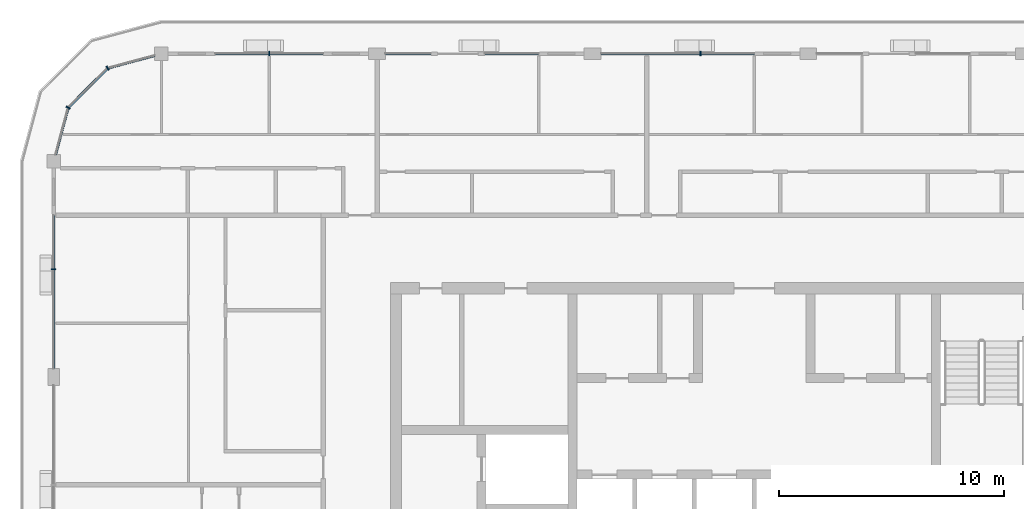
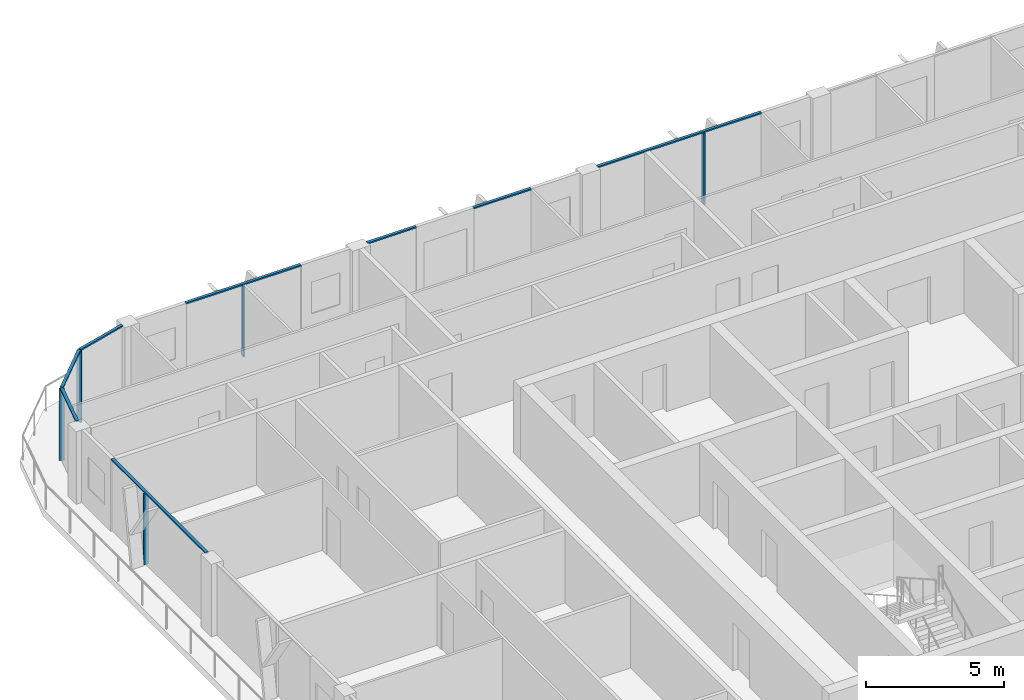
# One storey, part 5 of 22: 13 members, 5 elements without a shape of their own.
"""IFC4 building model written with IfcOpenShell, lengths in metres."""

from ifc_helpers import new_model, si_unit, direction, frame, origin, origin_2d, place, context, subcontext, project, spatial, rectangle, extrude, material, layer, layer_set, material_profile, profile_set, type_object, element, aggregate, save


model = new_model("IFC4")

# Units and contexts
model_context = context("Model", 3, precision=1e-05, world=origin(), true_north=direction((0.0, 1.0)))
body_context = subcontext(model_context, "Body", "Model", "MODEL_VIEW")
ifc_project = project(units=[si_unit("LENGTHUNIT", "METRE"), si_unit("AREAUNIT", "SQUARE_METRE"), si_unit("VOLUMEUNIT", "CUBIC_METRE"), si_unit("PLANEANGLEUNIT", "RADIAN"), si_unit("MASSUNIT", "GRAM", prefix="KILO")], contexts=[model_context])

# Site, building, storey
site_placement = place(None, origin())
site = spatial("IfcSite", under=ifc_project, at=site_placement, CompositionType="ELEMENT")
building_placement = place(site_placement, origin())
building = spatial("IfcBuilding", under=site, at=building_placement, Name="Madar Terraces", CompositionType="ELEMENT")
storey_placement = place(building_placement, frame((0.0, 0.0, 282.60009765625)))
storey = spatial("IfcBuildingStorey", under=building, at=storey_placement, Name="L74", CompositionType="ELEMENT", Elevation=282.60009765625)

# Curtain wall, member
ifc_material_1 = material(Name="Glass, ceramic frit dark grey, with black aluminium frame", Category="aluminium")
ifc_layer = layer(ifc_material_1, 0.199951171875)
ifc_layer_set = layer_set([ifc_layer], Name="Facade curtain wall, fritted glass")
curtain_wall_type = type_object("IfcCurtainWallType", Name="Facade curtain wall, fritted glass", PredefinedType="NOTDEFINED", material=ifc_layer_set)
curtain_wall_1_placement = place(storey_placement, origin())
curtain_wall_1 = element("IfcCurtainWall", 1, at=curtain_wall_1_placement, inside=storey, type_object=curtain_wall_type, Name="Outer skin curtain wall north bay 3", PredefinedType="NOTDEFINED")
ifc_material_2 = material(Name="Aluminium, black anodised", Category="aluminium")
ifc_material_profile_1 = material_profile(ifc_material_2, rectangle(XDim=0.199951171875, YDim=0.06005859375, at=origin_2d()), Name="Facade mullion 60x200")
ifc_profile_set_1 = profile_set([ifc_material_profile_1], Name="Aluminium, black anodised")
member_type_1 = type_object("IfcMemberType", Name="Facade mullion 60x200", PredefinedType="MULLION", material=ifc_profile_set_1)
member_1_placement = place(storey_placement, frame((28.800048828125, 48.0, 0.0), z_axis=(0.0, 0.0, 1.0), x_axis=(0.0, -1.0, 0.0)))
member_1 = element("IfcMember", 2, at=member_1_placement, type_object=member_type_1, Name="Mullion 1", PredefinedType="MULLION", context=body_context, shape_type="SweptSolid", body=[
    extrude(rectangle(XDim=0.199951171875, YDim=0.06005859375, at=origin_2d()), origin(), (0.0, 0.0, 1.0), 3.139892578125),
])

curtain_wall_2_placement = place(storey_placement, origin())
curtain_wall_2 = element("IfcCurtainWall", 3, at=curtain_wall_2_placement, inside=storey, type_object=curtain_wall_type, Name="Outer skin curtain wall north bay 5", PredefinedType="NOTDEFINED")
member_2_placement = place(storey_placement, frame((9.60009765625, 48.0, 0.0), z_axis=(0.0, 0.0, 1.0), x_axis=(0.0, -1.0, 0.0)))
member_2 = element("IfcMember", 4, at=member_2_placement, type_object=member_type_1, Name="Mullion 1", PredefinedType="MULLION", context=body_context, shape_type="SweptSolid", body=[
    extrude(rectangle(XDim=0.199951171875, YDim=0.06005859375, at=origin_2d()), origin(), (0.0, 0.0, 1.0), 3.139892578125),
])

curtain_wall_3_placement = place(storey_placement, origin())
curtain_wall_3 = element("IfcCurtainWall", 5, at=curtain_wall_3_placement, inside=storey, type_object=curtain_wall_type, Name="Outer skin curtain wall west bay 1", PredefinedType="NOTDEFINED")
member_3_placement = place(storey_placement, frame((0.0, 38.39990234375, 0.0), z_axis=(0.0, 0.0, 1.0), x_axis=(1.0, 0.0, 0.0)))
member_3 = element("IfcMember", 6, at=member_3_placement, type_object=member_type_1, Name="Mullion 1", PredefinedType="MULLION", context=body_context, shape_type="SweptSolid", body=[
    extrude(rectangle(XDim=0.199951171875, YDim=0.06005859375, at=origin_2d()), origin(), (0.0, 0.0, 1.0), 3.139892578125),
])

# Curtain wall, members
curtain_wall_4_placement = place(storey_placement, origin())
curtain_wall_4 = element("IfcCurtainWall", 7, at=curtain_wall_4_placement, inside=storey, type_object=curtain_wall_type, Name="Outer skin curtain wall north-west corner", PredefinedType="NOTDEFINED")
member_4_placement = place(storey_placement, frame((2.39990234375, 47.35693359375, 0.0), z_axis=(0.0, 0.0, 1.0), x_axis=(0.499999989586, -0.866025409797, 0.0)))
member_4 = element("IfcMember", 8, at=member_4_placement, type_object=member_type_1, Name="Mullion 1", PredefinedType="MULLION", context=body_context, shape_type="SweptSolid", body=[
    extrude(rectangle(XDim=0.199951171875, YDim=0.06005859375, at=origin_2d()), origin(), (0.0, 0.0, 1.0), 3.139892578125),
])
member_5_placement = place(storey_placement, frame((0.64306640625, 45.60009765625, 0.0), z_axis=(0.0, 0.0, 1.0), x_axis=(0.866025409797, -0.499999989586, 0.0)))
member_5 = element("IfcMember", 9, at=member_5_placement, type_object=member_type_1, Name="Mullion 2", PredefinedType="MULLION", context=body_context, shape_type="SweptSolid", body=[
    extrude(rectangle(XDim=0.199951171875, YDim=0.06005859375, at=origin_2d()), origin(), (0.0, 0.0, 1.0), 3.139892578125),
])

# Member
ifc_material_3 = material(Name="Aluminium, black anodised", Category="aluminium")
ifc_material_profile_2 = material_profile(ifc_material_3, rectangle(XDim=0.1201171875, YDim=0.06005859375, at=origin_2d()), Name="Facade transom 60x120")
ifc_profile_set_2 = profile_set([ifc_material_profile_2], Name="Aluminium, black anodised")
member_type_2 = type_object("IfcMemberType", Name="Facade transom 60x120", PredefinedType="USERDEFINED", material=ifc_profile_set_2)
member_6_placement = place(storey_placement, frame((31.199951171875, 48.0, 3.169921875), z_axis=(-1.0, 0.0, 0.0), x_axis=(0.0, -1.0, 0.0)))
member_6 = element("IfcMember", 10, at=member_6_placement, type_object=member_type_2, Name="Transom 1", ObjectType="TRANSOM", PredefinedType="USERDEFINED", context=body_context, shape_type="SweptSolid", body=[
    extrude(rectangle(XDim=0.1201171875, YDim=0.06005859375, at=origin_2d()), origin(), (0.0, 0.0, 1.0), 6.824951171875),
])

aggregate(curtain_wall_1, [member_1, member_6])

# Curtain wall, members
curtain_wall_5_placement = place(storey_placement, origin())
curtain_wall_5 = element("IfcCurtainWall", 11, at=curtain_wall_5_placement, inside=storey, type_object=curtain_wall_type, Name="Outer skin curtain wall north bay 4", PredefinedType="NOTDEFINED")
member_7_placement = place(storey_placement, frame((21.60009765625, 48.0, 3.169921875), z_axis=(-1.0, 0.0, 0.0), x_axis=(0.0, -1.0, 0.0)))
member_7 = element("IfcMember", 12, at=member_7_placement, type_object=member_type_2, Name="Transom 1", ObjectType="TRANSOM", PredefinedType="USERDEFINED", context=body_context, shape_type="SweptSolid", body=[
    extrude(rectangle(XDim=0.1201171875, YDim=0.06005859375, at=origin_2d()), origin(), (0.0, 0.0, 1.0), 2.400146484375),
])
member_8_placement = place(storey_placement, frame((16.800048828125, 48.0, 3.169921875), z_axis=(-1.0, 0.0, 0.0), x_axis=(0.0, -1.0, 0.0)))
member_8 = element("IfcMember", 13, at=member_8_placement, type_object=member_type_2, Name="Transom 2", ObjectType="TRANSOM", PredefinedType="USERDEFINED", context=body_context, shape_type="SweptSolid", body=[
    extrude(rectangle(XDim=0.1201171875, YDim=0.06005859375, at=origin_2d()), origin(), (0.0, 0.0, 1.0), 2.025146484375),
])
aggregate(curtain_wall_5, [member_7, member_8])

# Member
member_9_placement = place(storey_placement, frame((12.0, 48.0, 3.169921875), z_axis=(-1.0, 0.0, 0.0), x_axis=(0.0, -1.0, 0.0)))
member_9 = element("IfcMember", 14, at=member_9_placement, type_object=member_type_2, Name="Transom 1", ObjectType="TRANSOM", PredefinedType="USERDEFINED", context=body_context, shape_type="SweptSolid", body=[
    extrude(rectangle(XDim=0.1201171875, YDim=0.06005859375, at=origin_2d()), origin(), (0.0, 0.0, 1.0), 4.800048828125),
])

aggregate(curtain_wall_2, [member_2, member_9])

member_10_placement = place(storey_placement, frame((0.0, 40.800048828125, 3.169921875), z_axis=(0.0, -1.0, 0.0), x_axis=(1.0, 0.0, 0.0)))
member_10 = element("IfcMember", 15, at=member_10_placement, type_object=member_type_2, Name="Transom 1", ObjectType="TRANSOM", PredefinedType="USERDEFINED", context=body_context, shape_type="SweptSolid", body=[
    extrude(rectangle(XDim=0.1201171875, YDim=0.06005859375, at=origin_2d()), origin(), (0.0, 0.0, 1.0), 6.824951171875),
])

aggregate(curtain_wall_3, [member_3, member_10])

member_11_placement = place(storey_placement, frame((4.5, 47.919677734375, 3.169921875), z_axis=(-0.965926196336, -0.258817664066, 0.0), x_axis=(0.258817664066, -0.965926196336, 0.0)))
member_11 = element("IfcMember", 16, at=member_11_placement, type_object=member_type_2, Name="Transom 1", ObjectType="TRANSOM", PredefinedType="USERDEFINED", context=body_context, shape_type="SweptSolid", body=[
    extrude(rectangle(XDim=0.1201171875, YDim=0.06005859375, at=origin_2d()), origin(), (0.0, 0.0, 1.0), 2.14404296875),
])

member_12_placement = place(storey_placement, frame((2.37890625, 47.335693359375, 3.169921875), z_axis=(-0.707106781187, -0.707106781187, 0.0), x_axis=(0.707106781187, -0.707106781187, 0.0)))
member_12 = element("IfcMember", 17, at=member_12_placement, type_object=member_type_2, Name="Transom 2", ObjectType="TRANSOM", PredefinedType="USERDEFINED", context=body_context, shape_type="SweptSolid", body=[
    extrude(rectangle(XDim=0.1201171875, YDim=0.06005859375, at=origin_2d()), origin(), (0.0, 0.0, 1.0), 2.4248046875),
])

member_13_placement = place(storey_placement, frame((0.63525390625, 45.571044921875, 3.169921875), z_axis=(-0.258817664066, -0.965926196336, 0.0), x_axis=(0.965926196336, -0.258817664066, 0.0)))
member_13 = element("IfcMember", 18, at=member_13_placement, type_object=member_type_2, Name="Transom 3", ObjectType="TRANSOM", PredefinedType="USERDEFINED", context=body_context, shape_type="SweptSolid", body=[
    extrude(rectangle(XDim=0.1201171875, YDim=0.06005859375, at=origin_2d()), origin(), (0.0, 0.0, 1.0), 2.14404296875),
])

aggregate(curtain_wall_4, [member_4, member_11, member_5, member_12, member_13])

save(model, "model.ifc")
